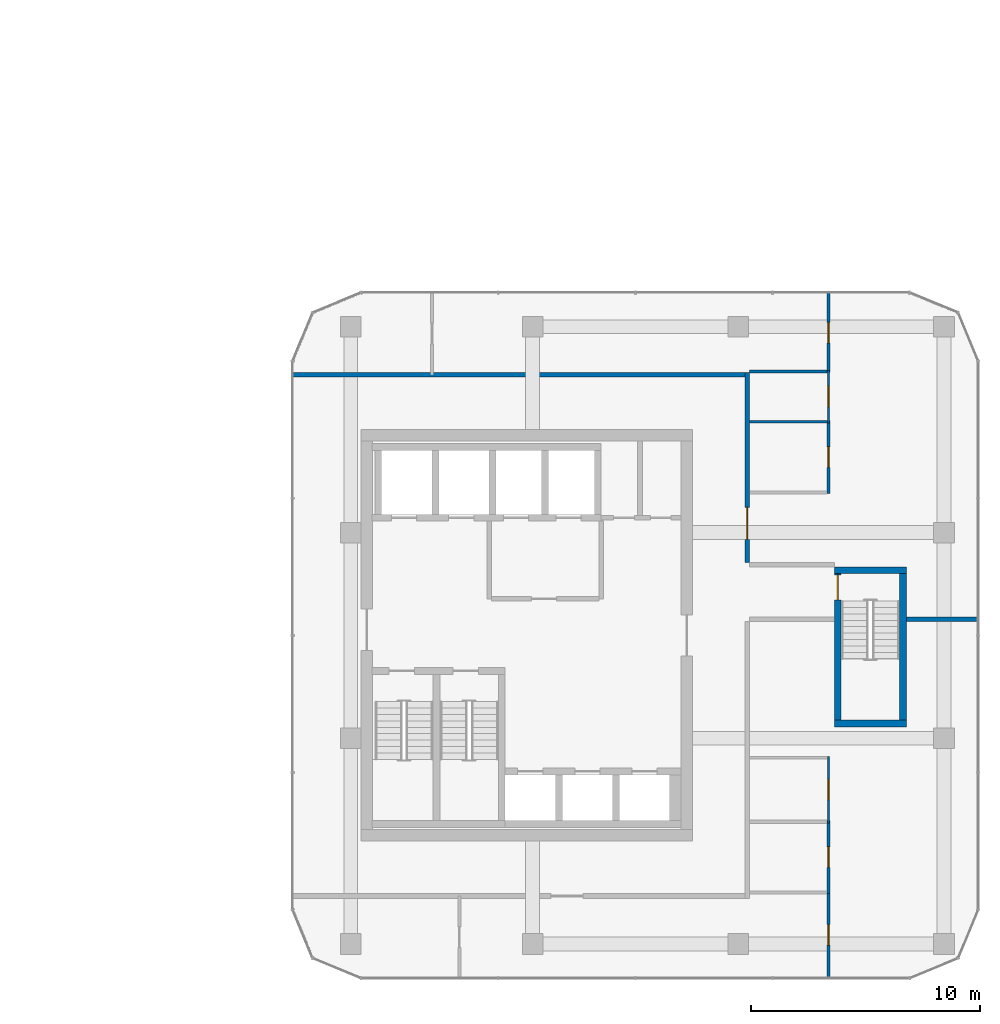
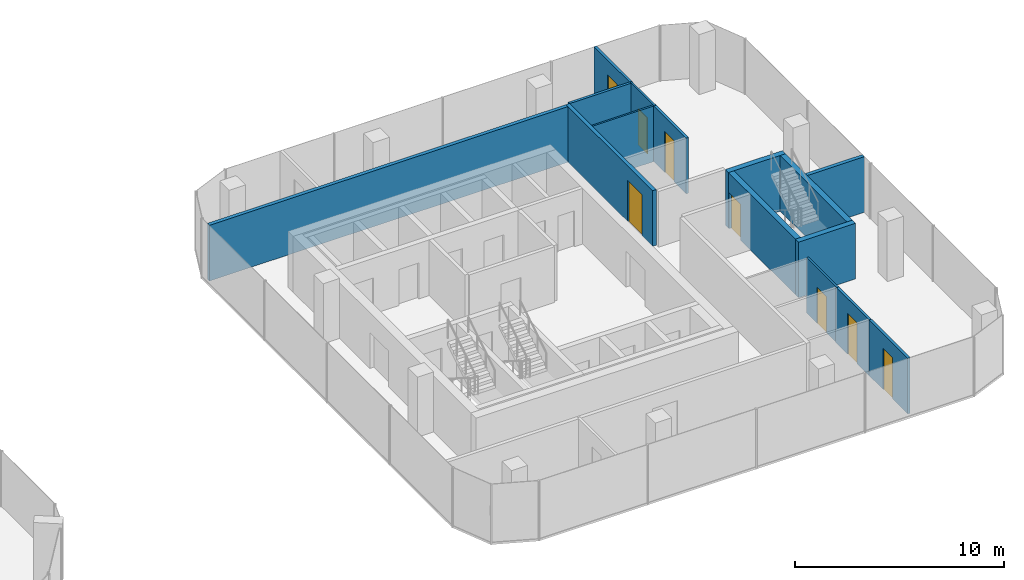
# One storey, part 18 of 22: 15 walls, 8 doors, 8 openings.
"""IFC4 building model written with IfcOpenShell, lengths in metres."""

from ifc_helpers import new_model, si_unit, direction, frame, frame_2d, origin, place, context, subcontext, project, spatial, rectangle, extrude, material, layer, layer_set, type_object, element, fill, save


model = new_model("IFC4")

# Units and contexts
model_context = context("Model", 3, precision=1e-05, world=origin(), true_north=direction((0.0, 1.0)))
body_context = subcontext(model_context, "Body", "Model", "MODEL_VIEW")
ifc_project = project(units=[si_unit("LENGTHUNIT", "METRE"), si_unit("AREAUNIT", "SQUARE_METRE"), si_unit("VOLUMEUNIT", "CUBIC_METRE"), si_unit("PLANEANGLEUNIT", "RADIAN"), si_unit("MASSUNIT", "GRAM", prefix="KILO")], contexts=[model_context])

# Site, building, storey
site_placement = place(None, origin())
site = spatial("IfcSite", under=ifc_project, at=site_placement, CompositionType="ELEMENT")
building_placement = place(site_placement, origin())
building = spatial("IfcBuilding", under=site, at=building_placement, Name="Plateau Cross Towers", CompositionType="ELEMENT")
storey_placement = place(building_placement, frame((0.0, 0.0, 54.800048828125)))
storey = spatial("IfcBuildingStorey", under=building, at=storey_placement, Name="L13", CompositionType="ELEMENT", Elevation=54.800048828125)

# Wall, opening, door
ifc_material_1 = material(Name="Concrete C60/75", Category="concrete")
ifc_layer_1 = layer(ifc_material_1, 0.300048828125)
ifc_layer_set_1 = layer_set([ifc_layer_1], Name="Concrete C60/75")
wall_type_1 = type_object("IfcWallType", Name="Core shaft wall 300", PredefinedType="SHEAR", material=ifc_layer_set_1)
wall_1_placement = place(storey_placement, frame((95.85009765625, 5.300048828125, 0.0), z_axis=(0.0, 0.0, 1.0), x_axis=(0.0, 1.0, 0.0)))
wall_1 = element("IfcWall", 1, at=wall_1_placement, inside=storey, type_object=wall_type_1, Name="B-sb3-W@L13", PredefinedType="SHEAR", context=body_context, shape_type="SweptSolid", body=[
    extrude(rectangle(XDim=6.39990234375, YDim=0.300048828125, at=frame_2d((3.199951171875, 0.0))), origin(), (0.0, 0.0, 1.0), 3.25),
])
opening_1_placement = place(wall_1_placement, frame((5.25, 0.0, 0.0)))
opening_1 = element("IfcOpeningElement", 2, at=opening_1_placement, cuts=wall_1, Name="Opening SD", PredefinedType="OPENING", context=body_context, shape_type="SweptSolid", body=[
    extrude(rectangle(XDim=1.10009765625, YDim=2.10009765625, at=frame_2d((0.550048828125, 1.050048828125))), frame((0.0, 0.159912109375, 0.0), z_axis=(0.0, -1.0, 0.0), x_axis=(1.0, 0.0, 0.0)), (0.0, 0.0, 1.0), 0.320068359375),
])
ifc_material_2 = material(Name="Steel, fire-resisting leaf", Category="steel")
door_type_1 = type_object("IfcDoorType", Name="Stair door 1100", OperationType="NOTDEFINED", PredefinedType="DOOR", material=ifc_material_2)
door_1_placement = place(opening_1_placement, origin())
door_1 = element("IfcDoor", 3, at=door_1_placement, inside=storey, type_object=door_type_1, Name="Stair door SD", OperationType="SINGLE_SWING_LEFT", OverallHeight=2.10009765625, OverallWidth=1.10009765625, PredefinedType="DOOR", context=body_context, shape_type="SweptSolid", body=[
    extrude(rectangle(XDim=1.10009765625, YDim=2.10009765625, at=frame_2d((0.550048828125, 1.050048828125))), frame((0.0, 0.02490234375, 0.0), z_axis=(0.0, -1.0, 0.0), x_axis=(1.0, 0.0, 0.0)), (0.0, 0.0, 1.0), 0.050048828125),
])
fill(opening_1, door_1)

# Walls
wall_2_placement = place(storey_placement, frame((98.699951171875, 5.300048828125, 0.0), z_axis=(0.0, 0.0, 1.0), x_axis=(0.0, 1.0, 0.0)))
element("IfcWall", 4, at=wall_2_placement, inside=storey, type_object=wall_type_1, Name="B-sb3-E@L13", PredefinedType="SHEAR", context=body_context, shape_type="SweptSolid", body=[
    extrude(rectangle(XDim=6.39990234375, YDim=0.300048828125, at=frame_2d((3.199951171875, 0.0))), origin(), (0.0, 0.0, 1.0), 3.25),
])
for number, where, z_axis, x_axis, name in (
    (5, (95.699951171875, 5.14990234375, 0.0), (0.0, 0.0, 1.0), (1.0, 0.0, 0.0), "B-sb3-S@L13"),
    (6, (95.699951171875, 11.85009765625, 0.0), (0.0, 0.0, 1.0), (1.0, 0.0, 0.0), "B-sb3-N@L13"),
):
    element("IfcWall", number, at=place(storey_placement, frame(where, z_axis=z_axis, x_axis=x_axis)), inside=storey, type_object=wall_type_1, Name=name, PredefinedType="SHEAR", context=body_context, shape_type="SweptSolid", body=[
        extrude(rectangle(XDim=3.150146484375, YDim=0.300048828125, at=frame_2d((1.5751953125, 0.0))), origin(), (0.0, 0.0, 1.0), 3.25),
    ])
ifc_material_3 = material(Name="Gypsum board on steel studs, two layers each side", Category="steel")
ifc_layer_2 = layer(ifc_material_3, 0.199951171875)
ifc_layer_set_2 = layer_set([ifc_layer_2], Name="Gypsum board on steel studs, two layers each side")
wall_type_2 = type_object("IfcWallType", Name="Corridor wall 200", PredefinedType="PARTITIONING", material=ifc_layer_set_2)
wall_3_placement = place(storey_placement, frame((72.0, 20.39990234375, 0.0), z_axis=(0.0, 0.0, 1.0), x_axis=(1.0, 0.0, 0.0)))
element("IfcWall", 7, at=wall_3_placement, inside=storey, type_object=wall_type_2, Name="Ring wall", PredefinedType="PARTITIONING", context=body_context, shape_type="SweptSolid", body=[
    extrude(rectangle(XDim=20.0, YDim=0.199951171875, at=frame_2d((10.0, 0.0))), origin(), (0.0, 0.0, 1.0), 3.25),
])

# Wall, opening, door
wall_4_placement = place(storey_placement, frame((91.89990234375, 12.199951171875, 0.0), z_axis=(0.0, 0.0, 1.0), x_axis=(0.0, 1.0, 0.0)))
wall_4 = element("IfcWall", 8, at=wall_4_placement, inside=storey, type_object=wall_type_2, Name="Ring wall", PredefinedType="PARTITIONING", context=body_context, shape_type="SweptSolid", body=[
    extrude(rectangle(XDim=8.300048828125, YDim=0.199951171875, at=frame_2d((4.14990234375, 0.0))), origin(), (0.0, 0.0, 1.0), 3.25),
])
opening_2_placement = place(wall_4_placement, frame((1.0, 0.0, 0.0)))
opening_2 = element("IfcOpeningElement", 9, at=opening_2_placement, cuts=wall_4, Name="Opening D-BE14", PredefinedType="OPENING", context=body_context, shape_type="SweptSolid", body=[
    extrude(rectangle(XDim=1.39990234375, YDim=2.39990234375, at=frame_2d((0.699951171875, 1.199951171875))), frame((0.0, 0.10986328125, 0.0), z_axis=(0.0, -1.0, 0.0), x_axis=(1.0, 0.0, 0.0)), (0.0, 0.0, 1.0), 0.219970703125),
])
ifc_material_4 = material(Name="Timber, fire-resisting leaves", Category="wood")
door_type_2 = type_object("IfcDoorType", Name="Tenant entrance double-leaf 1400x2400", OperationType="NOTDEFINED", PredefinedType="DOOR", material=ifc_material_4)
door_2_placement = place(opening_2_placement, origin())
door_2 = element("IfcDoor", 10, at=door_2_placement, inside=storey, type_object=door_type_2, Name="Door D-BE14", OperationType="DOUBLE_DOOR_SINGLE_SWING", OverallHeight=2.39990234375, OverallWidth=1.39990234375, PredefinedType="DOOR", context=body_context, shape_type="SweptSolid", body=[
    extrude(rectangle(XDim=1.39990234375, YDim=2.39990234375, at=frame_2d((0.699951171875, 1.199951171875))), frame((0.0, 0.02490234375, 0.0), z_axis=(0.0, -1.0, 0.0), x_axis=(1.0, 0.0, 0.0)), (0.0, 0.0, 1.0), 0.050048828125),
])
fill(opening_2, door_2)

ifc_material_5 = material(Name="Gypsum board on staggered steel studs, mineral wool, two layers each side", Category="steel")
ifc_layer_3 = layer(ifc_material_5, 0.139892578125)
ifc_layer_set_3 = layer_set([ifc_layer_3], Name="Gypsum board on staggered steel studs, mineral wool, two layers each side")
wall_type_3 = type_object("IfcWallType", Name="Meeting room acoustic partition 140", PredefinedType="PARTITIONING", material=ifc_layer_set_3)
wall_5_placement = place(storey_placement, frame((95.449951171875, -6.0, 0.0), z_axis=(0.0, 0.0, 1.0), x_axis=(0.0, 1.0, 0.0)))
wall_5 = element("IfcWall", 11, at=wall_5_placement, inside=storey, type_object=wall_type_3, Name="Acoustic wall", PredefinedType="PARTITIONING", context=body_context, shape_type="SweptSolid", body=[
    extrude(rectangle(XDim=3.800048828125, YDim=0.139892578125, at=frame_2d((1.89990234375, 0.0))), origin(), (0.0, 0.0, 1.0), 3.25),
])
opening_3_placement = place(wall_5_placement, frame((1.449951171875, 0.0, 0.0)))
opening_3 = element("IfcOpeningElement", 12, at=opening_3_placement, cuts=wall_5, Name="Opening D-BM9", PredefinedType="OPENING", context=body_context, shape_type="SweptSolid", body=[
    extrude(rectangle(XDim=0.89990234375, YDim=2.39990234375, at=frame_2d((0.449951171875, 1.199951171875))), frame((0.0, 0.079833984375, 0.0), z_axis=(0.0, -1.0, 0.0), x_axis=(1.0, 0.0, 0.0)), (0.0, 0.0, 1.0), 0.159912109375),
])
ifc_material_6 = material(Name="Timber leaf, full height", Category="wood")
door_type_3 = type_object("IfcDoorType", Name="Meeting room door 900x2400", OperationType="NOTDEFINED", PredefinedType="DOOR", material=ifc_material_6)
door_3_placement = place(opening_3_placement, origin())
door_3 = element("IfcDoor", 13, at=door_3_placement, inside=storey, type_object=door_type_3, Name="Door D-BM9", OperationType="SINGLE_SWING_LEFT", OverallHeight=2.39990234375, OverallWidth=0.89990234375, PredefinedType="DOOR", context=body_context, shape_type="SweptSolid", body=[
    extrude(rectangle(XDim=0.89990234375, YDim=2.39990234375, at=frame_2d((0.449951171875, 1.199951171875))), frame((0.0, 0.02490234375, 0.0), z_axis=(0.0, -1.0, 0.0), x_axis=(1.0, 0.0, 0.0)), (0.0, 0.0, 1.0), 0.050048828125),
])
fill(opening_3, door_3)

wall_6_placement = place(storey_placement, frame((95.449951171875, -2.300048828125, 0.0), z_axis=(0.0, 0.0, 1.0), x_axis=(0.0, 1.0, 0.0)))
wall_6 = element("IfcWall", 14, at=wall_6_placement, inside=storey, type_object=wall_type_3, Name="Acoustic wall", PredefinedType="PARTITIONING", context=body_context, shape_type="SweptSolid", body=[
    extrude(rectangle(XDim=3.199951171875, YDim=0.139892578125, at=frame_2d((1.60009765625, 0.0))), origin(), (0.0, 0.0, 1.0), 3.25),
])
opening_4_placement = place(wall_6_placement, frame((1.14990234375, 0.0, 0.0)))
opening_4 = element("IfcOpeningElement", 15, at=opening_4_placement, cuts=wall_6, Name="Opening D-BM9", PredefinedType="OPENING", context=body_context, shape_type="SweptSolid", body=[
    extrude(rectangle(XDim=0.89990234375, YDim=2.39990234375, at=frame_2d((0.449951171875, 1.199951171875))), frame((0.0, 0.079833984375, 0.0), z_axis=(0.0, -1.0, 0.0), x_axis=(1.0, 0.0, 0.0)), (0.0, 0.0, 1.0), 0.159912109375),
])
door_4_placement = place(opening_4_placement, origin())
door_4 = element("IfcDoor", 16, at=door_4_placement, inside=storey, type_object=door_type_3, Name="Door D-BM9", OperationType="SINGLE_SWING_LEFT", OverallHeight=2.39990234375, OverallWidth=0.89990234375, PredefinedType="DOOR", context=body_context, shape_type="SweptSolid", body=[
    extrude(rectangle(XDim=0.89990234375, YDim=2.39990234375, at=frame_2d((0.449951171875, 1.199951171875))), frame((0.0, 0.02490234375, 0.0), z_axis=(0.0, -1.0, 0.0), x_axis=(1.0, 0.0, 0.0)), (0.0, 0.0, 1.0), 0.050048828125),
])
fill(opening_4, door_4)

wall_7_placement = place(storey_placement, frame((95.449951171875, 20.5, 0.0), z_axis=(0.0, 0.0, 1.0), x_axis=(0.0, 1.0, 0.0)))
wall_7 = element("IfcWall", 17, at=wall_7_placement, inside=storey, type_object=wall_type_3, Name="Acoustic wall", PredefinedType="PARTITIONING", context=body_context, shape_type="SweptSolid", body=[
    extrude(rectangle(XDim=3.5, YDim=0.139892578125, at=frame_2d((1.75, 0.0))), origin(), (0.0, 0.0, 1.0), 3.25),
])
opening_5_placement = place(wall_7_placement, frame((1.300048828125, 0.0, 0.0)))
opening_5 = element("IfcOpeningElement", 18, at=opening_5_placement, cuts=wall_7, Name="Opening D-BM9", PredefinedType="OPENING", context=body_context, shape_type="SweptSolid", body=[
    extrude(rectangle(XDim=0.89990234375, YDim=2.39990234375, at=frame_2d((0.449951171875, 1.199951171875))), frame((0.0, 0.079833984375, 0.0), z_axis=(0.0, -1.0, 0.0), x_axis=(1.0, 0.0, 0.0)), (0.0, 0.0, 1.0), 0.159912109375),
])
door_5_placement = place(opening_5_placement, origin())
door_5 = element("IfcDoor", 19, at=door_5_placement, inside=storey, type_object=door_type_3, Name="Door D-BM9", OperationType="SINGLE_SWING_LEFT", OverallHeight=2.39990234375, OverallWidth=0.89990234375, PredefinedType="DOOR", context=body_context, shape_type="SweptSolid", body=[
    extrude(rectangle(XDim=0.89990234375, YDim=2.39990234375, at=frame_2d((0.449951171875, 1.199951171875))), frame((0.0, 0.02490234375, 0.0), z_axis=(0.0, -1.0, 0.0), x_axis=(1.0, 0.0, 0.0)), (0.0, 0.0, 1.0), 0.050048828125),
])
fill(opening_5, door_5)

# Wall
wall_8_placement = place(storey_placement, frame((92.0, 20.550048828125, 0.0), z_axis=(0.0, 0.0, 1.0), x_axis=(1.0, 0.0, 0.0)))
element("IfcWall", 20, at=wall_8_placement, inside=storey, type_object=wall_type_3, Name="Acoustic wall", PredefinedType="PARTITIONING", context=body_context, shape_type="SweptSolid", body=[
    extrude(rectangle(XDim=3.3798828125, YDim=0.139892578125, at=frame_2d((1.68994140625, 0.0))), origin(), (0.0, 0.0, 1.0), 3.25),
])

# Wall, opening, door
wall_9_placement = place(storey_placement, frame((95.449951171875, 15.199951171875, 0.0), z_axis=(0.0, 0.0, 1.0), x_axis=(0.0, 1.0, 0.0)))
wall_9 = element("IfcWall", 21, at=wall_9_placement, inside=storey, type_object=wall_type_3, Name="Acoustic wall", PredefinedType="PARTITIONING", context=body_context, shape_type="SweptSolid", body=[
    extrude(rectangle(XDim=3.199951171875, YDim=0.139892578125, at=frame_2d((1.60009765625, 0.0))), origin(), (0.0, 0.0, 1.0), 3.25),
])
opening_6_placement = place(wall_9_placement, frame((1.14990234375, 0.0, 0.0)))
opening_6 = element("IfcOpeningElement", 22, at=opening_6_placement, cuts=wall_9, Name="Opening D-BM9", PredefinedType="OPENING", context=body_context, shape_type="SweptSolid", body=[
    extrude(rectangle(XDim=0.89990234375, YDim=2.39990234375, at=frame_2d((0.449951171875, 1.199951171875))), frame((0.0, 0.079833984375, 0.0), z_axis=(0.0, -1.0, 0.0), x_axis=(1.0, 0.0, 0.0)), (0.0, 0.0, 1.0), 0.159912109375),
])
door_6_placement = place(opening_6_placement, origin())
door_6 = element("IfcDoor", 23, at=door_6_placement, inside=storey, type_object=door_type_3, Name="Door D-BM9", OperationType="SINGLE_SWING_LEFT", OverallHeight=2.39990234375, OverallWidth=0.89990234375, PredefinedType="DOOR", context=body_context, shape_type="SweptSolid", body=[
    extrude(rectangle(XDim=0.89990234375, YDim=2.39990234375, at=frame_2d((0.449951171875, 1.199951171875))), frame((0.0, 0.02490234375, 0.0), z_axis=(0.0, -1.0, 0.0), x_axis=(1.0, 0.0, 0.0)), (0.0, 0.0, 1.0), 0.050048828125),
])
fill(opening_6, door_6)

ifc_material_7 = material(Name="Gypsum board on steel studs", Category="steel")
ifc_layer_4 = layer(ifc_material_7, 0.10009765625)
ifc_layer_set_4 = layer_set([ifc_layer_4], Name="Gypsum board on steel studs")
wall_type_4 = type_object("IfcWallType", Name="Office partition 100", PredefinedType="PARTITIONING", material=ifc_layer_set_4)
wall_10_placement = place(storey_placement, frame((95.449951171875, 0.800048828125, 0.0), z_axis=(0.0, 0.0, 1.0), x_axis=(0.0, 1.0, 0.0)))
wall_10 = element("IfcWall", 24, at=wall_10_placement, inside=storey, type_object=wall_type_4, Name="Part wall", PredefinedType="PARTITIONING", context=body_context, shape_type="SweptSolid", body=[
    extrude(rectangle(XDim=2.89990234375, YDim=0.10009765625, at=frame_2d((1.449951171875, 0.0))), origin(), (0.0, 0.0, 1.0), 3.25),
])
opening_7_placement = place(wall_10_placement, frame((1.0, 0.0, 0.0)))
opening_7 = element("IfcOpeningElement", 25, at=opening_7_placement, cuts=wall_10, Name="Opening D-BR9", PredefinedType="OPENING", context=body_context, shape_type="SweptSolid", body=[
    extrude(rectangle(XDim=0.89990234375, YDim=2.10009765625, at=frame_2d((0.449951171875, 1.050048828125))), frame((0.0, 0.06005859375, 0.0), z_axis=(0.0, -1.0, 0.0), x_axis=(1.0, 0.0, 0.0)), (0.0, 0.0, 1.0), 0.1201171875),
])
ifc_material_8 = material(Name="Timber leaf", Category="wood")
door_type_4 = type_object("IfcDoorType", Name="Office room door 900", OperationType="NOTDEFINED", PredefinedType="DOOR", material=ifc_material_8)
door_7_placement = place(opening_7_placement, origin())
door_7 = element("IfcDoor", 26, at=door_7_placement, inside=storey, type_object=door_type_4, Name="Door D-BR9", OperationType="SINGLE_SWING_LEFT", OverallHeight=2.10009765625, OverallWidth=0.89990234375, PredefinedType="DOOR", context=body_context, shape_type="SweptSolid", body=[
    extrude(rectangle(XDim=0.89990234375, YDim=2.10009765625, at=frame_2d((0.449951171875, 1.050048828125))), frame((0.0, 0.02490234375, 0.0), z_axis=(0.0, -1.0, 0.0), x_axis=(1.0, 0.0, 0.0)), (0.0, 0.0, 1.0), 0.050048828125),
])
fill(opening_7, door_7)

wall_11_placement = place(storey_placement, frame((95.449951171875, 18.300048828125, 0.0), z_axis=(0.0, 0.0, 1.0), x_axis=(0.0, 1.0, 0.0)))
wall_11 = element("IfcWall", 27, at=wall_11_placement, inside=storey, type_object=wall_type_4, Name="Part wall", PredefinedType="PARTITIONING", context=body_context, shape_type="SweptSolid", body=[
    extrude(rectangle(XDim=2.300048828125, YDim=0.10009765625, at=frame_2d((1.14990234375, 0.0))), origin(), (0.0, 0.0, 1.0), 3.25),
])
opening_8_placement = place(wall_11_placement, frame((0.699951171875, 0.0, 0.0)))
opening_8 = element("IfcOpeningElement", 28, at=opening_8_placement, cuts=wall_11, Name="Opening D-BR9", PredefinedType="OPENING", context=body_context, shape_type="SweptSolid", body=[
    extrude(rectangle(XDim=0.89990234375, YDim=2.10009765625, at=frame_2d((0.449951171875, 1.050048828125))), frame((0.0, 0.06005859375, 0.0), z_axis=(0.0, -1.0, 0.0), x_axis=(1.0, 0.0, 0.0)), (0.0, 0.0, 1.0), 0.1201171875),
])
door_8_placement = place(opening_8_placement, origin())
door_8 = element("IfcDoor", 29, at=door_8_placement, inside=storey, type_object=door_type_4, Name="Door D-BR9", OperationType="SINGLE_SWING_LEFT", OverallHeight=2.10009765625, OverallWidth=0.89990234375, PredefinedType="DOOR", context=body_context, shape_type="SweptSolid", body=[
    extrude(rectangle(XDim=0.89990234375, YDim=2.10009765625, at=frame_2d((0.449951171875, 1.050048828125))), frame((0.0, 0.02490234375, 0.0), z_axis=(0.0, -1.0, 0.0), x_axis=(1.0, 0.0, 0.0)), (0.0, 0.0, 1.0), 0.050048828125),
])
fill(opening_8, door_8)

# Walls
wall_12_placement = place(storey_placement, frame((92.0, 18.35009765625, 0.0), z_axis=(0.0, 0.0, 1.0), x_axis=(1.0, 0.0, 0.0)))
element("IfcWall", 30, at=wall_12_placement, inside=storey, type_object=wall_type_4, Name="Part wall", PredefinedType="PARTITIONING", context=body_context, shape_type="SweptSolid", body=[
    extrude(rectangle(XDim=3.39990234375, YDim=0.10009765625, at=frame_2d((1.699951171875, 0.0))), origin(), (0.0, 0.0, 1.0), 3.25),
])
ifc_layer_5 = layer(ifc_material_3, 0.199951171875)
ifc_layer_set_5 = layer_set([ifc_layer_5], Name="Gypsum board on steel studs, two layers each side")
wall_type_5 = type_object("IfcWallType", Name="Tenancy demising wall 200", PredefinedType="PARTITIONING", material=ifc_layer_set_5)
wall_13_placement = place(storey_placement, frame((98.85009765625, 9.699951171875, 0.0), z_axis=(0.0, 0.0, 1.0), x_axis=(1.0, 0.0, 0.0)))
element("IfcWall", 31, at=wall_13_placement, inside=storey, type_object=wall_type_5, Name="Demising wall", PredefinedType="PARTITIONING", context=body_context, shape_type="SweptSolid", body=[
    extrude(rectangle(XDim=3.14990234375, YDim=0.199951171875, at=frame_2d((1.574951171875, 0.0))), origin(), (0.0, 0.0, 1.0), 3.25),
])

save(model, "model.ifc")
